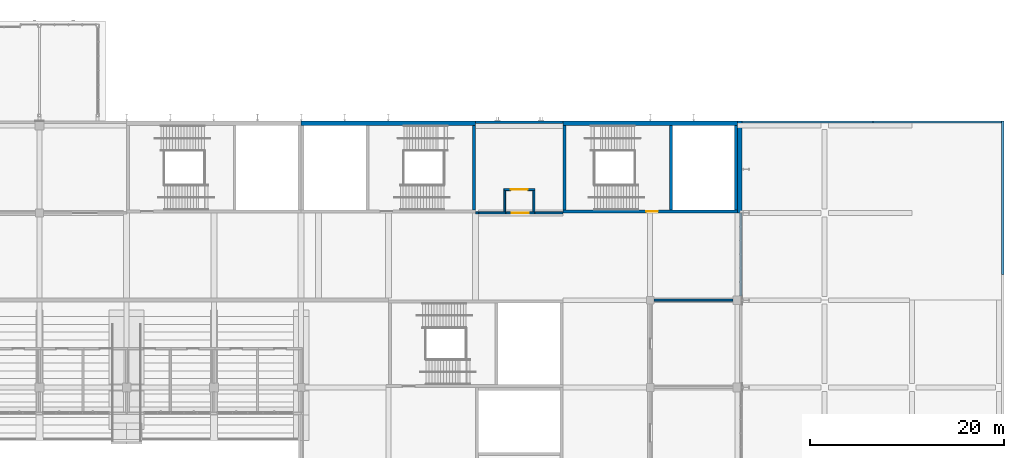
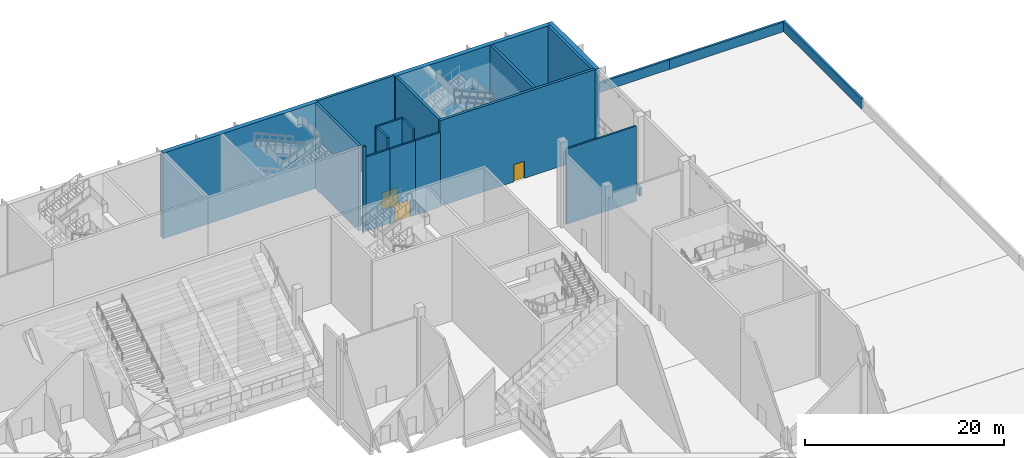
# One storey, part 95 of 182: 21 walls, 3 doors, 3 openings.
"""IFC4 building model written with IfcOpenShell, lengths in metres."""

from ifc_helpers import new_model, si_unit, direction, frame, frame_2d, origin, place, context, subcontext, project, spatial, rectangle, extrude, material, layer, layer_set, type_object, element, fill, save


model = new_model("IFC4")

# Units and contexts
model_context = context("Model", 3, precision=1e-05, world=origin(), true_north=direction((0.0, 1.0)))
body_context = subcontext(model_context, "Body", "Model", "MODEL_VIEW")
ifc_project = project(units=[si_unit("LENGTHUNIT", "METRE"), si_unit("AREAUNIT", "SQUARE_METRE"), si_unit("VOLUMEUNIT", "CUBIC_METRE"), si_unit("PLANEANGLEUNIT", "RADIAN"), si_unit("MASSUNIT", "GRAM", prefix="KILO")], contexts=[model_context])

# Site, building, storey
site_placement = place(None, origin())
site = spatial("IfcSite", under=ifc_project, at=site_placement, CompositionType="ELEMENT")
building_placement = place(site_placement, origin())
building = spatial("IfcBuilding", under=site, at=building_placement, Name="Silverbay Arena", CompositionType="ELEMENT")
storey_placement = place(building_placement, frame((0.0, 0.0, 11.5)))
storey = spatial("IfcBuildingStorey", under=building, at=storey_placement, Name="L02", CompositionType="ELEMENT", Elevation=11.5)

# Walls
ifc_material_1 = material(Name="Concrete Grade C45 precast, light finish", Category="concrete")
ifc_layer_1 = layer(ifc_material_1, 0.300048828125)
ifc_layer_set_1 = layer_set([ifc_layer_1], Name="Concrete Grade C45 precast, light finish")
wall_type_1 = type_object("IfcWallType", Name="Cladded external wall 300", PredefinedType="SOLIDWALL", material=ifc_layer_set_1)
wall_1_placement = place(storey_placement, frame((207.35009765625, 126.449951171875, 0.0), z_axis=(0.0, 0.0, 1.0), x_axis=(0.0, 1.0, 0.0)))
element("IfcWall", 1, at=wall_1_placement, inside=storey, type_object=wall_type_1, Name="East sill wall L02 bay 13", PredefinedType="SOLIDWALL", context=body_context, shape_type="SweptSolid", body=[
    extrude(rectangle(XDim=8.550048828125, YDim=0.300048828125, at=frame_2d((4.27490234375, 0.0))), origin(), (0.0, 0.0, 1.0), 1.0),
])
ifc_material_2 = material(Name="Concrete Grade C45 precast, light finish", Category="concrete")
ifc_layer_2 = layer(ifc_material_2, 0.300048828125)
ifc_layer_set_2 = layer_set([ifc_layer_2], Name="Concrete Grade C45 precast, light finish")
wall_type_2 = type_object("IfcWallType", Name="Cladded external wall 300 EI 120", PredefinedType="SOLIDWALL", material=ifc_layer_set_2)
wall_2_placement = place(storey_placement, frame((189.0, 144.35009765625, 0.0), z_axis=(0.0, 0.0, 1.0), x_axis=(-1.0, 0.0, 0.0)))
element("IfcWall", 2, at=wall_2_placement, inside=storey, type_object=wall_type_2, Name="North external wall L02 bay 15", PredefinedType="SOLIDWALL", context=body_context, shape_type="SweptSolid", body=[
    extrude(rectangle(XDim=9.0, YDim=0.300048828125, at=frame_2d((4.5, 0.0))), origin(), (0.0, 0.0, 1.0), 10.5),
])
ifc_material_3 = material(Name="Concrete Grade C45", Category="concrete")
ifc_layer_3 = layer(ifc_material_3, 0.300048828125)
ifc_layer_set_3 = layer_set([ifc_layer_3], Name="Concrete Grade C45")
wall_type_3 = type_object("IfcWallType", Name="Core wall RC 300 EI 120", PredefinedType="SHEAR", material=ifc_layer_set_3)
wall_3_placement = place(storey_placement, frame((179.85009765625, 135.300048828125, 0.0), z_axis=(0.0, 0.0, 1.0), x_axis=(0.0, 1.0, 0.0)))
element("IfcWall", 3, at=wall_3_placement, inside=storey, type_object=wall_type_3, Name="Core wall ST-N4 L02 end 1", PredefinedType="SHEAR", context=body_context, shape_type="SweptSolid", body=[
    extrude(rectangle(XDim=8.699951171875, YDim=0.300048828125, at=frame_2d((4.35009765625, 0.0))), origin(), (0.0, 0.0, 1.0), 10.5),
])

# Wall, opening, door
wall_4_placement = place(storey_placement, frame((189.0, 135.14990234375, 0.0), z_axis=(0.0, 0.0, 1.0), x_axis=(1.0, 0.0, 0.0)))
wall_4 = element("IfcWall", 4, at=wall_4_placement, inside=storey, type_object=wall_type_3, Name="Core wall ST-N6 L02 door side", PredefinedType="SHEAR", context=body_context, shape_type="SweptSolid", body=[
    extrude(rectangle(XDim=18.0, YDim=0.300048828125, at=frame_2d((9.0, 0.0))), origin(), (0.0, 0.0, 1.0), 10.5),
])
opening_1_placement = place(wall_4_placement, frame((8.60009765625, 0.0, 0.0)))
opening_1 = element("IfcOpeningElement", 5, at=opening_1_placement, cuts=wall_4, Name="Opening L02-086", PredefinedType="OPENING", context=body_context, shape_type="SweptSolid", body=[
    extrude(rectangle(XDim=1.199951171875, YDim=2.10009765625, at=frame_2d((0.60009765625, 1.050048828125))), frame((0.0, 0.16015625, 0.0), z_axis=(0.0, -1.0, 0.0), x_axis=(1.0, 0.0, 0.0)), (0.0, 0.0, 1.0), 0.320068359375),
])
ifc_material_4 = material(Name="Steel fire door", Category="steel")
door_type_1 = type_object("IfcDoorType", Name="Stair door 1200 x 2100 fire door", OperationType="SINGLE_SWING_LEFT", PredefinedType="DOOR", material=ifc_material_4)
door_1_placement = place(opening_1_placement, origin())
door_1 = element("IfcDoor", 6, at=door_1_placement, inside=storey, type_object=door_type_1, Name="Stair door ST-N6 L02", OperationType="SINGLE_SWING_RIGHT", OverallHeight=2.10009765625, OverallWidth=1.199951171875, PredefinedType="DOOR", context=body_context, shape_type="SweptSolid", body=[
    extrude(rectangle(XDim=1.199951171875, YDim=2.10009765625, at=frame_2d((0.60009765625, 1.050048828125))), frame((0.0, 0.02490234375, 0.0), z_axis=(0.0, -1.0, 0.0), x_axis=(1.0, 0.0, 0.0)), (0.0, 0.0, 1.0), 0.050048828125),
])
fill(opening_1, door_1)

# Walls
for number, where, z_axis, x_axis, name in (
    (7, (189.14990234375, 135.300048828125, 0.0), (0.0, 0.0, 1.0), (0.0, 1.0, 0.0), "Core wall ST-N6 L02 end 1"),
    (8, (206.85009765625, 135.300048828125, 0.0), (0.0, 0.0, 1.0), (0.0, 1.0, 0.0), "Core wall ST-N6 L02 end 2"),
    (9, (200.14990234375, 135.300048828125, 0.0), (0.0, 0.0, 1.0), (0.0, 1.0, 0.0), "Core wall ST-N6 L02 stair enclosure"),
):
    element("IfcWall", number, at=place(storey_placement, frame(where, z_axis=z_axis, x_axis=x_axis)), inside=storey, type_object=wall_type_3, Name=name, PredefinedType="SHEAR", context=body_context, shape_type="SweptSolid", body=[
        extrude(rectangle(XDim=8.699951171875, YDim=0.300048828125, at=frame_2d((4.35009765625, 0.0))), origin(), (0.0, 0.0, 1.0), 10.5),
    ])
ifc_material_5 = material(Name="Concrete Grade C45", Category="concrete")
ifc_layer_4 = layer(ifc_material_5, 0.5)
ifc_layer_set_4 = layer_set([ifc_layer_4], Name="Concrete Grade C45")
wall_type_4 = type_object("IfcWallType", Name="Core wall RC 500 external EI 120", PredefinedType="SHEAR", material=ifc_layer_set_4)
for number, where, z_axis, x_axis, name in (
    (10, (180.0, 144.25, 0.0), (0.0, 0.0, 1.0), (-1.0, 0.0, 0.0), "Core wall ST-N4 L02 facade side"),
    (11, (189.0, 144.25, 0.0), (0.0, 0.0, 1.0), (1.0, 0.0, 0.0), "Core wall ST-N6 L02 facade side"),
):
    element("IfcWall", number, at=place(storey_placement, frame(where, z_axis=z_axis, x_axis=x_axis)), inside=storey, type_object=wall_type_4, Name=name, PredefinedType="SHEAR", context=body_context, shape_type="SweptSolid", body=[
        extrude(rectangle(XDim=18.0, YDim=0.5, at=frame_2d((9.0, 0.0))), origin(), (0.0, 0.0, 1.0), 10.5),
    ])
ifc_material_6 = material(Name="Concrete Grade C45", Category="concrete")
ifc_layer_5 = layer(ifc_material_6, 0.25)
ifc_layer_set_5 = layer_set([ifc_layer_5], Name="Concrete Grade C45")
wall_type_5 = type_object("IfcWallType", Name="Parapet wall 250", PredefinedType="PARAPET", material=ifc_layer_set_5)
wall_5_placement = place(storey_placement, frame((234.375, 128.625, 0.0), z_axis=(0.0, 0.0, 1.0), x_axis=(0.0, 1.0, 0.0)))
element("IfcWall", 12, at=wall_5_placement, inside=storey, type_object=wall_type_5, Name="East wing parapet 10", PredefinedType="PARAPET", context=body_context, shape_type="SweptSolid", body=[
    extrude(rectangle(XDim=15.875, YDim=0.25, at=frame_2d((7.9375, 0.0))), origin(), (0.0, 0.0, 1.0), 1.199951171875),
])
wall_6_placement = place(storey_placement, frame((234.25, 144.375, 0.0), z_axis=(0.0, 0.0, 1.0), x_axis=(-1.0, 0.0, 0.0)))
element("IfcWall", 13, at=wall_6_placement, inside=storey, type_object=wall_type_5, Name="East wing parapet 11", PredefinedType="PARAPET", context=body_context, shape_type="SweptSolid", body=[
    extrude(rectangle(XDim=13.25, YDim=0.25, at=frame_2d((6.625, 0.0))), origin(), (0.0, 0.0, 1.0), 1.199951171875),
])
wall_7_placement = place(storey_placement, frame((221.0, 144.375, 0.0), z_axis=(0.0, 0.0, 1.0), x_axis=(-1.0, 0.0, 0.0)))
element("IfcWall", 14, at=wall_7_placement, inside=storey, type_object=wall_type_5, Name="East wing parapet 12", PredefinedType="PARAPET", context=body_context, shape_type="SweptSolid", body=[
    extrude(rectangle(XDim=13.5, YDim=0.25, at=frame_2d((6.75, 0.0))), origin(), (0.0, 0.0, 1.0), 1.199951171875),
])
ifc_material_7 = material(Name="Masonry blockwork partition", Category="masonry")
ifc_layer_6 = layer(ifc_material_7, 0.199951171875)
ifc_layer_set_6 = layer_set([ifc_layer_6], Name="Masonry blockwork partition")
wall_type_6 = type_object("IfcWallType", Name="Partition 200 EI 120", PredefinedType="PARTITIONING", material=ifc_layer_set_6)
wall_8_placement = place(storey_placement, frame((198.39990234375, 126.0, 0.0), z_axis=(0.0, 0.0, 1.0), x_axis=(1.0, 0.0, 0.0)))
element("IfcWall", 15, at=wall_8_placement, inside=storey, type_object=wall_type_6, Name="Partition wall", PredefinedType="PARTITIONING", context=body_context, shape_type="SweptSolid", body=[
    extrude(rectangle(XDim=8.150146484375, YDim=0.199951171875, at=frame_2d((4.0751953125, 0.0))), origin(), (0.0, 0.0, 1.0), 9.25),
])
wall_9_placement = place(storey_placement, frame((180.300048828125, 135.0, 0.0), z_axis=(0.0, 0.0, 1.0), x_axis=(1.0, 0.0, 0.0)))
element("IfcWall", 16, at=wall_9_placement, inside=storey, type_object=wall_type_6, Name="Partition wall", PredefinedType="PARTITIONING", context=body_context, shape_type="SweptSolid", body=[
    extrude(rectangle(XDim=2.800048828125, YDim=0.199951171875, at=frame_2d((1.39990234375, 0.0))), origin(), (0.0, 0.0, 1.0), 9.14990234375),
])

# Wall, opening, door
wall_10_placement = place(storey_placement, frame((183.10009765625, 135.0, 0.0), z_axis=(0.0, 0.0, 1.0), x_axis=(1.0, 0.0, 0.0)))
wall_10 = element("IfcWall", 17, at=wall_10_placement, inside=storey, type_object=wall_type_6, Name="Partition wall", PredefinedType="PARTITIONING", context=body_context, shape_type="SweptSolid", body=[
    extrude(rectangle(XDim=3.0, YDim=0.199951171875, at=frame_2d((1.5, 0.0))), origin(), (0.0, 0.0, 1.0), 9.14990234375),
])
opening_2_placement = place(wall_10_placement, frame((0.60009765625, 0.0, 0.0)))
opening_2 = element("IfcOpeningElement", 18, at=opening_2_placement, cuts=wall_10, Name="Opening L02-066", PredefinedType="OPENING", context=body_context, shape_type="SweptSolid", body=[
    extrude(rectangle(XDim=1.800048828125, YDim=2.10009765625, at=frame_2d((0.89990234375, 1.050048828125))), frame((0.0, 0.10986328125, 0.0), z_axis=(0.0, -1.0, 0.0), x_axis=(1.0, 0.0, 0.0)), (0.0, 0.0, 1.0), 0.219970703125),
])
ifc_material_8 = material(Name="Steel faced timber", Category="steel")
door_type_2 = type_object("IfcDoorType", Name="Double leaf door 1800 x 2100 FD120", OperationType="DOUBLE_DOOR_DOUBLE_SWING", PredefinedType="DOOR", material=ifc_material_8)
door_2_placement = place(opening_2_placement, frame((1.800048828125, 0.0, 0.0), z_axis=(0.0, 0.0, 1.0), x_axis=(-1.0, 0.0, 0.0)))
door_2 = element("IfcDoor", 19, at=door_2_placement, inside=storey, type_object=door_type_2, Name="Door L02-066", OperationType="DOUBLE_DOOR_DOUBLE_SWING", OverallHeight=2.10009765625, OverallWidth=1.800048828125, PredefinedType="DOOR", context=body_context, shape_type="SweptSolid", body=[
    extrude(rectangle(XDim=1.800048828125, YDim=2.10009765625, at=frame_2d((0.89990234375, 1.050048828125))), frame((0.0, 0.02490234375, 0.0), z_axis=(0.0, -1.0, 0.0), x_axis=(1.0, 0.0, 0.0)), (0.0, 0.0, 1.0), 0.050048828125),
])
fill(opening_2, door_2)

# Wall
wall_11_placement = place(storey_placement, frame((186.10009765625, 135.0, 0.0), z_axis=(0.0, 0.0, 1.0), x_axis=(1.0, 0.0, 0.0)))
element("IfcWall", 20, at=wall_11_placement, inside=storey, type_object=wall_type_6, Name="Partition wall", PredefinedType="PARTITIONING", context=body_context, shape_type="SweptSolid", body=[
    extrude(rectangle(XDim=2.89990234375, YDim=0.199951171875, at=frame_2d((1.449951171875, 0.0))), origin(), (0.0, 0.0, 1.0), 9.14990234375),
])

# Wall, opening, door
wall_12_placement = place(storey_placement, frame((182.89990234375, 137.39990234375, 0.0), z_axis=(0.0, 0.0, 1.0), x_axis=(1.0, 0.0, 0.0)))
wall_12 = element("IfcWall", 21, at=wall_12_placement, inside=storey, type_object=wall_type_6, Name="Partition wall", PredefinedType="PARTITIONING", context=body_context, shape_type="SweptSolid", body=[
    extrude(rectangle(XDim=3.2001953125, YDim=0.199951171875, at=frame_2d((1.60009765625, 0.0))), origin(), (0.0, 0.0, 1.0), 10.5),
])
opening_3_placement = place(wall_12_placement, frame((0.699951171875, 0.0, 0.0)))
opening_3 = element("IfcOpeningElement", 22, at=opening_3_placement, cuts=wall_12, Name="Opening L02-006", PredefinedType="OPENING", context=body_context, shape_type="SweptSolid", body=[
    extrude(rectangle(XDim=1.800048828125, YDim=2.10009765625, at=frame_2d((0.89990234375, 1.050048828125))), frame((0.0, 0.10986328125, 0.0), z_axis=(0.0, -1.0, 0.0), x_axis=(1.0, 0.0, 0.0)), (0.0, 0.0, 1.0), 0.219970703125),
])
door_3_placement = place(opening_3_placement, origin())
door_3 = element("IfcDoor", 23, at=door_3_placement, inside=storey, type_object=door_type_2, Name="Door L02-006", OperationType="DOUBLE_DOOR_DOUBLE_SWING", OverallHeight=2.10009765625, OverallWidth=1.800048828125, PredefinedType="DOOR", context=body_context, shape_type="SweptSolid", body=[
    extrude(rectangle(XDim=1.800048828125, YDim=2.10009765625, at=frame_2d((0.89990234375, 1.050048828125))), frame((0.0, 0.02490234375, 0.0), z_axis=(0.0, -1.0, 0.0), x_axis=(1.0, 0.0, 0.0)), (0.0, 0.0, 1.0), 0.050048828125),
])
fill(opening_3, door_3)

# Walls
for number, where, z_axis, x_axis, name in (
    (24, (183.0, 135.10009765625, 0.0), (0.0, 0.0, 1.0), (0.0, 1.0, 0.0), "Partition wall"),
    (25, (186.0, 135.10009765625, 0.0), (0.0, 0.0, 1.0), (0.0, 1.0, 0.0), "Partition wall"),
):
    element("IfcWall", number, at=place(storey_placement, frame(where, z_axis=z_axis, x_axis=x_axis)), inside=storey, type_object=wall_type_6, Name=name, PredefinedType="PARTITIONING", context=body_context, shape_type="SweptSolid", body=[
        extrude(rectangle(XDim=2.199951171875, YDim=0.199951171875, at=frame_2d((1.10009765625, 0.0))), origin(), (0.0, 0.0, 1.0), 10.5),
    ])
wall_13_placement = place(storey_placement, frame((180.0, 135.0, 0.0), z_axis=(0.0, 0.0, 1.0), x_axis=(1.0, 0.0, 0.0)))
element("IfcWall", 26, at=wall_13_placement, inside=storey, type_object=wall_type_6, Name="Partition wall", PredefinedType="PARTITIONING", context=body_context, shape_type="SweptSolid", body=[
    extrude(rectangle(XDim=0.300048828125, YDim=0.199951171875, at=frame_2d((0.14990234375, 0.0))), origin(), (0.0, 0.0, 1.0), 10.5),
])
ifc_material_9 = material(Name="Concrete Grade C45", Category="concrete")
ifc_layer_7 = layer(ifc_material_9, 0.5)
ifc_layer_set_7 = layer_set([ifc_layer_7], Name="Concrete Grade C45")
wall_type_7 = type_object("IfcWallType", Name="Stair core facade wall 500", PredefinedType="SOLIDWALL", material=ifc_layer_set_7)
wall_14_placement = place(storey_placement, frame((207.25, 135.0, 0.0), z_axis=(0.0, 0.0, 1.0), x_axis=(0.0, 1.0, 0.0)))
element("IfcWall", 27, at=wall_14_placement, inside=storey, type_object=wall_type_7, Name="East stair core facade wall L02 bay 14", PredefinedType="SOLIDWALL", context=body_context, shape_type="SweptSolid", body=[
    extrude(rectangle(XDim=9.5, YDim=0.5, at=frame_2d((4.75, 0.0))), origin(), (0.0, 0.0, 1.0), 10.5),
])

save(model, "model.ifc")
